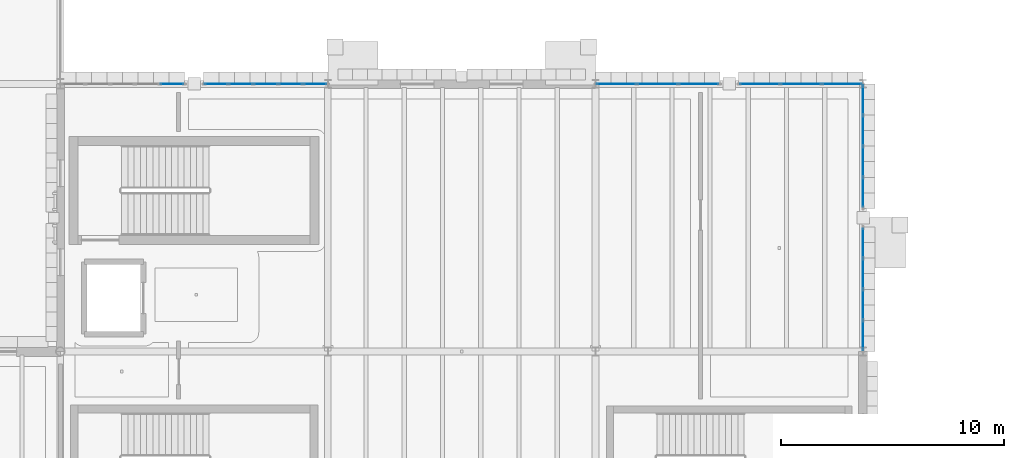
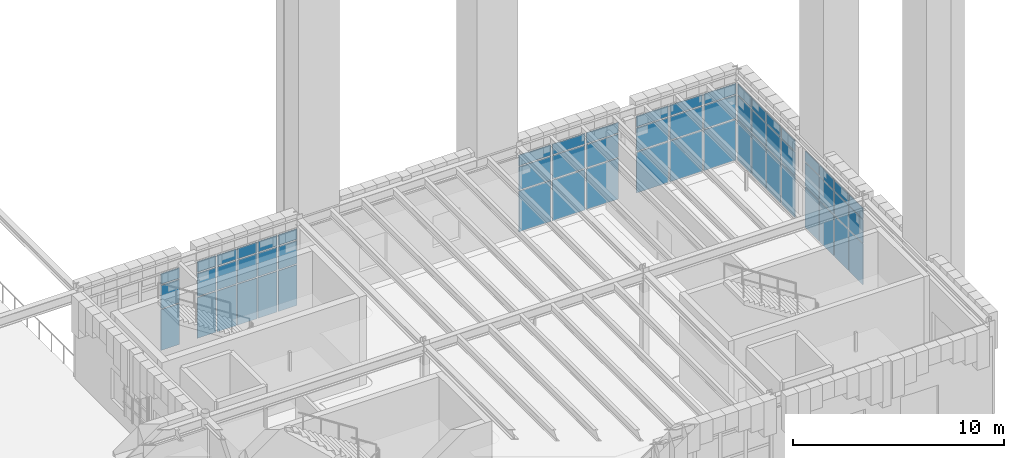
# One storey, part 49 of 103: 60 plates, 6 elements without a shape of their own.
"""IFC4 building model written with IfcOpenShell, lengths in metres."""

import ifcopenshell
import ifcopenshell.guid

model = None  # the IFC model being written
_history = None  # IfcOwnerHistory: only IFC2X3 demands one
_inside = {}  # id of a spatial element -> (the spatial element, [elements in it])
_under = {}  # id of a project, library or spatial element -> (it, [spatial elements below it])
_declared = {}  # id of a project -> (the project, [libraries it declares])
_typed = {}  # id of a type object -> (the type object, [elements of that type])
_made_of = {}  # id of a material, layer set ... -> (it, [elements and type objects made of it])


def new_model(schema):
    """Start an empty IFC model of exactly this schema.

    Asked for "IFC4X3", IfcOpenShell would pick the latest addendum, in which some entities
    have other attributes; the version numbers below select the first issue.
    IFC2X3 requires an IfcOwnerHistory on every rooted entity: one is made here for all.
    """
    global model, _history
    if schema == "IFC4X3":
        model = ifcopenshell.file(schema_version=(4, 3, 0, 0))
    else:
        model = ifcopenshell.file(schema=schema)
    _inside.clear()
    _under.clear()
    _declared.clear()
    _typed.clear()
    _made_of.clear()
    _history = None
    if model.schema == "IFC2X3":
        org = make("IfcOrganization", Name="unknown")
        user = make(
            "IfcPersonAndOrganization",
            ThePerson=make("IfcPerson", FamilyName="unknown"),
            TheOrganization=org,
        )
        app = make(
            "IfcApplication",
            ApplicationDeveloper=org,
            Version="unknown",
            ApplicationFullName="unknown",
            ApplicationIdentifier="unknown",
        )
        _history = make(
            "IfcOwnerHistory",
            OwningUser=user,
            OwningApplication=app,
            ChangeAction="ADDED",
            CreationDate=0,
        )
    return model


def make(cls, **values):
    """One entity of the class cls with the attributes given. An attribute that is None is left unset."""
    return model.create_entity(
        cls, **{name: value for name, value in values.items() if value is not None}
    )


def rooted(cls, **values):
    """An entity with a GlobalId (a new one), such as an element, a storey or a relation."""
    return make(cls, GlobalId=ifcopenshell.guid.new(), OwnerHistory=_history, **values)


def si_unit(unit_type, name, prefix=None):
    """IfcSIUnit, for example si_unit("LENGTHUNIT", "METRE", prefix="MILLI")."""
    return make("IfcSIUnit", UnitType=unit_type, Prefix=prefix, Name=name)


def assignment(units):
    """IfcUnitAssignment: the units of a project."""
    return None if units is None else make("IfcUnitAssignment", Units=units)


def point(xyz):
    """IfcCartesianPoint."""
    return None if xyz is None else make("IfcCartesianPoint", Coordinates=xyz)


def direction(xyz):
    """IfcDirection."""
    return None if xyz is None else make("IfcDirection", DirectionRatios=xyz)


def frame(location, z_axis=None, x_axis=None):
    """IfcAxis2Placement3D, a coordinate frame: its origin and axes. An axis left out is left unset."""
    return make(
        "IfcAxis2Placement3D",
        Location=point(location),
        Axis=direction(z_axis),
        RefDirection=direction(x_axis),
    )


def frame_2d(location, x_axis=None):
    """IfcAxis2Placement2D, a coordinate frame in the plane: its origin and x axis."""
    return make(
        "IfcAxis2Placement2D", Location=point(location), RefDirection=direction(x_axis)
    )


def origin():
    """The frame at (0, 0, 0) with its axes left unset."""
    return frame((0.0, 0.0, 0.0))


def origin_2d():
    """The frame at (0, 0) in the plane with its x axis left unset."""
    return frame_2d((0.0, 0.0))


def place(relative_to, where):
    """IfcLocalPlacement: puts the frame where relative to a parent placement (None: the world)."""
    return make(
        "IfcLocalPlacement", PlacementRelTo=relative_to, RelativePlacement=where
    )


def context(
    kind, dimensions, precision=None, world=None, true_north=None, identifier=None
):
    """IfcGeometricRepresentationContext, for example the 3D "Model" context."""
    return make(
        "IfcGeometricRepresentationContext",
        ContextIdentifier=identifier,
        ContextType=kind,
        CoordinateSpaceDimension=dimensions,
        Precision=precision,
        WorldCoordinateSystem=world,
        TrueNorth=true_north,
    )


def subcontext(parent, identifier, kind, view, scale=None):
    """IfcGeometricRepresentationSubContext, for example "Body" below "Model"."""
    return make(
        "IfcGeometricRepresentationSubContext",
        ContextIdentifier=identifier,
        ContextType=kind,
        ParentContext=parent,
        TargetScale=scale,
        TargetView=view,
    )


def project(units=None, contexts=None):
    """IfcProject with its units and contexts."""
    return rooted(
        "IfcProject",
        Name="project",
        RepresentationContexts=contexts,
        UnitsInContext=assignment(units),
    )


def spatial(cls, under=None, at=None, **own):
    """A site, building, storey or space (cls), placed at a placement, below another one or the project."""
    s = rooted(cls, ObjectPlacement=at, **own)
    if under is not None:
        _under.setdefault(under.id(), (under, []))[1].append(s)
    return s


def profile(cls, at=None, kind="AREA", **sizes):
    """A parametric profile (cls). Its sizes go by their IFC names, for example OverallWidth=200.0."""
    return make(cls, ProfileType=kind, Position=at, **sizes)


def rectangle(**sizes):
    """IfcRectangleProfileDef."""
    return profile("IfcRectangleProfileDef", **sizes)


def extrude(swept, where, along, depth):
    """IfcExtrudedAreaSolid: the profile swept, set in the frame where, extruded along a direction by depth."""
    return make(
        "IfcExtrudedAreaSolid",
        SweptArea=swept,
        Position=where,
        ExtrudedDirection=direction(along),
        Depth=depth,
    )


def shape(context_of_items, identifier, shape_type, items):
    """IfcShapeRepresentation: the items that make up one representation, for example the "Body"."""
    return make(
        "IfcShapeRepresentation",
        ContextOfItems=context_of_items,
        RepresentationIdentifier=identifier,
        RepresentationType=shape_type,
        Items=items,
    )


def material(Name=None, Category=None):
    """IfcMaterial."""
    return make("IfcMaterial", Name=Name, Category=Category)


def layer(
    of_material, thickness, ventilated=None, Name=None, Category=None, Priority=None
):
    """IfcMaterialLayer: one layer of a wall or slab, of a material (None: an air gap)."""
    return make(
        "IfcMaterialLayer",
        Material=of_material,
        LayerThickness=thickness,
        IsVentilated=ventilated,
        Name=Name,
        Category=Category,
        Priority=Priority,
    )


def layer_set(layers, Name=None):
    """IfcMaterialLayerSet."""
    return make("IfcMaterialLayerSet", MaterialLayers=layers, LayerSetName=Name)


def made_of(thing, what):
    """Note that an element or type object is made of a material, layer set ...; save() writes the relation."""
    if what is not None:
        _made_of.setdefault(what.id(), (what, []))[1].append(thing)
    return thing


def type_object(cls, material=None, **own):
    """A type object (cls), such as IfcWallType, which elements share."""
    return made_of(rooted(cls, **own), material)


def element(
    cls,
    number,
    at=None,
    inside=None,
    cuts=None,
    type_object=None,
    material=None,
    context=None,
    identifier="Body",
    shape_type=None,
    held_by="IfcProductDefinitionShape",
    body=None,
    shapes=None,
    **own,
):
    """One element of the class cls, such as IfcWall. Its Tag is "e" and its number.

    at: its placement. inside: the storey or other place that contains it. cuts: it is an
    opening in that element (IfcRelVoidsElement). A single representation is given by context,
    identifier, shape_type and body (its items); several are given by shapes. held_by: the class
    of the entity that holds the representations. save() writes the other relations.
    """
    e = rooted(cls, Tag="e%d" % number, ObjectPlacement=at, **own)
    if body is not None:
        shapes = [shape(context, identifier, shape_type, body)]
    if shapes is not None:
        e.Representation = make(held_by, Representations=shapes)
    if inside is not None:
        _inside.setdefault(inside.id(), (inside, []))[1].append(e)
    if cuts is not None:
        rooted(
            "IfcRelVoidsElement", RelatingBuildingElement=cuts, RelatedOpeningElement=e
        )
    if type_object is not None:
        _typed.setdefault(type_object.id(), (type_object, []))[1].append(e)
    return made_of(e, material)


def aggregate(whole, parts):
    """IfcRelAggregates: a whole, such as a stair, and the parts it consists of."""
    return rooted("IfcRelAggregates", RelatingObject=whole, RelatedObjects=parts)


def save(model, path):
    """Write the relations noted so far, then the file.

    IfcRelAggregates (storeys below a building ...), IfcRelContainedInSpatialStructure (elements
    in a storey), IfcRelDefinesByType, IfcRelAssociatesMaterial and IfcRelDeclares: one each for
    every whole, place, type object, material and project.
    """
    for whole, parts in _under.values():
        aggregate(whole, parts)
    for where, things in _inside.values():
        rooted(
            "IfcRelContainedInSpatialStructure",
            RelatedElements=things,
            RelatingStructure=where,
        )
    for kind, things in _typed.values():
        rooted("IfcRelDefinesByType", RelatedObjects=things, RelatingType=kind)
    for what, things in _made_of.values():
        rooted("IfcRelAssociatesMaterial", RelatedObjects=things, RelatingMaterial=what)
    for by, libraries in _declared.values():
        rooted("IfcRelDeclares", RelatingContext=by, RelatedDefinitions=libraries)
    model.write(path)


model = new_model("IFC4")

# Units and contexts
model_context = context("Model", 3, precision=1e-05, world=origin(), true_north=direction((0.0, 1.0)))
body_context = subcontext(model_context, "Body", "Model", "MODEL_VIEW")
ifc_project = project(units=[si_unit("LENGTHUNIT", "METRE"), si_unit("AREAUNIT", "SQUARE_METRE"), si_unit("VOLUMEUNIT", "CUBIC_METRE"), si_unit("PLANEANGLEUNIT", "RADIAN"), si_unit("MASSUNIT", "GRAM", prefix="KILO")], contexts=[model_context])

# Site, building, storey
site_placement = place(None, origin())
site = spatial("IfcSite", under=ifc_project, at=site_placement, CompositionType="ELEMENT")
building_placement = place(site_placement, origin())
building = spatial("IfcBuilding", under=site, at=building_placement, Name="Zlatogorsky Bluff Art Gallery", CompositionType="ELEMENT")
storey_placement = place(building_placement, origin())
storey = spatial("IfcBuildingStorey", under=building, at=storey_placement, Name="L00", CompositionType="ELEMENT", Elevation=0.0)

# Curtain wall, plates
ifc_material_1 = material(Name="Anodised Bronze Aluminium and Low-Iron Triple Glazing", Category="aluminium")
ifc_layer_1 = layer(ifc_material_1, 0.179931640625)
ifc_layer_set_1 = layer_set([ifc_layer_1], Name="Curtain Wall CW-03")
curtain_wall_type_1 = type_object("IfcCurtainWallType", Name="Curtain Wall CW-03", PredefinedType="USERDEFINED", material=ifc_layer_set_1)
curtain_wall_1_placement = place(storey_placement, origin())
curtain_wall_1 = element("IfcCurtainWall", 1, at=curtain_wall_1_placement, inside=storey, type_object=curtain_wall_type_1, Name="Unitised curtain wall CW-03 L00 N 10.9-A", ObjectType="CURTAIN WALL", PredefinedType="USERDEFINED")
ifc_material_2 = material(Name="Low-Iron Laminated Triple Glazing", Category="glass")
ifc_layer_2 = layer(ifc_material_2, 0.035888671875)
ifc_layer_set_2 = layer_set([ifc_layer_2], Name="Glazed Curtain Panel CWP-01")
plate_type = type_object("IfcPlateType", Name="Glazed Curtain Panel CWP-01", PredefinedType="CURTAIN_PANEL", material=ifc_layer_set_2)
plate_1_placement = place(storey_placement, frame((131.42578125, 108.0, 0.06494140625), z_axis=(0.0, 0.0, 1.0), x_axis=(-1.0, 0.0, 0.0)))
plate_1 = element("IfcPlate", 2, at=plate_1_placement, type_object=plate_type, Name="CW-03 panel 1.1", PredefinedType="CURTAIN_PANEL", context=body_context, shape_type="SweptSolid", body=[
    extrude(rectangle(XDim=1.0185546875, YDim=0.035888671875, at=origin_2d()), origin(), (0.0, 0.0, 1.0), 2.3525390625),
])
plate_2_placement = place(storey_placement, frame((131.42578125, 108.0, 2.482421875), z_axis=(0.0, 0.0, 1.0), x_axis=(-1.0, 0.0, 0.0)))
plate_2 = element("IfcPlate", 3, at=plate_2_placement, type_object=plate_type, Name="CW-03 panel 1.2", PredefinedType="CURTAIN_PANEL", context=body_context, shape_type="SweptSolid", body=[
    extrude(rectangle(XDim=1.0185546875, YDim=0.035888671875, at=origin_2d()), origin(), (0.0, 0.0, 1.0), 1.3349609375),
])
plate_3_placement = place(storey_placement, frame((131.42578125, 108.0, 3.88232421875), z_axis=(0.0, 0.0, 1.0), x_axis=(-1.0, 0.0, 0.0)))
plate_3 = element("IfcPlate", 4, at=plate_3_placement, type_object=plate_type, Name="CW-03 panel 1.3", PredefinedType="CURTAIN_PANEL", context=body_context, shape_type="SweptSolid", body=[
    extrude(rectangle(XDim=1.0185546875, YDim=0.035888671875, at=origin_2d()), origin(), (0.0, 0.0, 1.0), 0.612548828125),
])
plate_4_placement = place(storey_placement, frame((130.325927734375, 108.0, 0.06494140625), z_axis=(0.0, 0.0, 1.0), x_axis=(-1.0, 0.0, 0.0)))
plate_4 = element("IfcPlate", 5, at=plate_4_placement, type_object=plate_type, Name="CW-03 panel 2.1", PredefinedType="CURTAIN_PANEL", context=body_context, shape_type="SweptSolid", body=[
    extrude(rectangle(XDim=1.051025390625, YDim=0.035888671875, at=origin_2d()), origin(), (0.0, 0.0, 1.0), 2.3525390625),
])
plate_5_placement = place(storey_placement, frame((130.325927734375, 108.0, 2.482421875), z_axis=(0.0, 0.0, 1.0), x_axis=(-1.0, 0.0, 0.0)))
plate_5 = element("IfcPlate", 6, at=plate_5_placement, type_object=plate_type, Name="CW-03 panel 2.2", PredefinedType="CURTAIN_PANEL", context=body_context, shape_type="SweptSolid", body=[
    extrude(rectangle(XDim=1.051025390625, YDim=0.035888671875, at=origin_2d()), origin(), (0.0, 0.0, 1.0), 1.3349609375),
])
plate_6_placement = place(storey_placement, frame((130.325927734375, 108.0, 3.88232421875), z_axis=(0.0, 0.0, 1.0), x_axis=(-1.0, 0.0, 0.0)))
plate_6 = element("IfcPlate", 7, at=plate_6_placement, type_object=plate_type, Name="CW-03 panel 2.3", PredefinedType="CURTAIN_PANEL", context=body_context, shape_type="SweptSolid", body=[
    extrude(rectangle(XDim=1.051025390625, YDim=0.035888671875, at=origin_2d()), origin(), (0.0, 0.0, 1.0), 0.612548828125),
])
plate_7_placement = place(storey_placement, frame((129.2099609375, 108.0, 0.06494140625), z_axis=(0.0, 0.0, 1.0), x_axis=(-1.0, 0.0, 0.0)))
plate_7 = element("IfcPlate", 8, at=plate_7_placement, type_object=plate_type, Name="CW-03 panel 3.1", PredefinedType="CURTAIN_PANEL", context=body_context, shape_type="SweptSolid", body=[
    extrude(rectangle(XDim=1.051025390625, YDim=0.035888671875, at=origin_2d()), origin(), (0.0, 0.0, 1.0), 2.3525390625),
])
plate_8_placement = place(storey_placement, frame((129.2099609375, 108.0, 2.482421875), z_axis=(0.0, 0.0, 1.0), x_axis=(-1.0, 0.0, 0.0)))
plate_8 = element("IfcPlate", 9, at=plate_8_placement, type_object=plate_type, Name="CW-03 panel 3.2", PredefinedType="CURTAIN_PANEL", context=body_context, shape_type="SweptSolid", body=[
    extrude(rectangle(XDim=1.051025390625, YDim=0.035888671875, at=origin_2d()), origin(), (0.0, 0.0, 1.0), 1.3349609375),
])
plate_9_placement = place(storey_placement, frame((129.2099609375, 108.0, 3.88232421875), z_axis=(0.0, 0.0, 1.0), x_axis=(-1.0, 0.0, 0.0)))
plate_9 = element("IfcPlate", 10, at=plate_9_placement, type_object=plate_type, Name="CW-03 panel 3.3", PredefinedType="CURTAIN_PANEL", context=body_context, shape_type="SweptSolid", body=[
    extrude(rectangle(XDim=1.051025390625, YDim=0.035888671875, at=origin_2d()), origin(), (0.0, 0.0, 1.0), 0.612548828125),
])
plate_10_placement = place(storey_placement, frame((128.093994140625, 108.0, 0.06494140625), z_axis=(0.0, 0.0, 1.0), x_axis=(-1.0, 0.0, 0.0)))
plate_10 = element("IfcPlate", 11, at=plate_10_placement, type_object=plate_type, Name="CW-03 panel 4.1", PredefinedType="CURTAIN_PANEL", context=body_context, shape_type="SweptSolid", body=[
    extrude(rectangle(XDim=1.051025390625, YDim=0.035888671875, at=origin_2d()), origin(), (0.0, 0.0, 1.0), 2.3525390625),
])
plate_11_placement = place(storey_placement, frame((128.093994140625, 108.0, 2.482421875), z_axis=(0.0, 0.0, 1.0), x_axis=(-1.0, 0.0, 0.0)))
plate_11 = element("IfcPlate", 12, at=plate_11_placement, type_object=plate_type, Name="CW-03 panel 4.2", PredefinedType="CURTAIN_PANEL", context=body_context, shape_type="SweptSolid", body=[
    extrude(rectangle(XDim=1.051025390625, YDim=0.035888671875, at=origin_2d()), origin(), (0.0, 0.0, 1.0), 1.3349609375),
])
plate_12_placement = place(storey_placement, frame((128.093994140625, 108.0, 3.88232421875), z_axis=(0.0, 0.0, 1.0), x_axis=(-1.0, 0.0, 0.0)))
plate_12 = element("IfcPlate", 13, at=plate_12_placement, type_object=plate_type, Name="CW-03 panel 4.3", PredefinedType="CURTAIN_PANEL", context=body_context, shape_type="SweptSolid", body=[
    extrude(rectangle(XDim=1.051025390625, YDim=0.035888671875, at=origin_2d()), origin(), (0.0, 0.0, 1.0), 0.612548828125),
])
plate_13_placement = place(storey_placement, frame((126.994140625, 108.0, 0.06494140625), z_axis=(0.0, 0.0, 1.0), x_axis=(-1.0, 0.0, 0.0)))
plate_13 = element("IfcPlate", 14, at=plate_13_placement, type_object=plate_type, Name="CW-03 panel 5.1", PredefinedType="CURTAIN_PANEL", context=body_context, shape_type="SweptSolid", body=[
    extrude(rectangle(XDim=1.0185546875, YDim=0.035888671875, at=origin_2d()), origin(), (0.0, 0.0, 1.0), 2.3525390625),
])
plate_14_placement = place(storey_placement, frame((126.994140625, 108.0, 2.482421875), z_axis=(0.0, 0.0, 1.0), x_axis=(-1.0, 0.0, 0.0)))
plate_14 = element("IfcPlate", 15, at=plate_14_placement, type_object=plate_type, Name="CW-03 panel 5.2", PredefinedType="CURTAIN_PANEL", context=body_context, shape_type="SweptSolid", body=[
    extrude(rectangle(XDim=1.0185546875, YDim=0.035888671875, at=origin_2d()), origin(), (0.0, 0.0, 1.0), 1.3349609375),
])
plate_15_placement = place(storey_placement, frame((126.994140625, 108.0, 3.88232421875), z_axis=(0.0, 0.0, 1.0), x_axis=(-1.0, 0.0, 0.0)))
plate_15 = element("IfcPlate", 16, at=plate_15_placement, type_object=plate_type, Name="CW-03 panel 5.3", PredefinedType="CURTAIN_PANEL", context=body_context, shape_type="SweptSolid", body=[
    extrude(rectangle(XDim=1.0185546875, YDim=0.035888671875, at=origin_2d()), origin(), (0.0, 0.0, 1.0), 0.612548828125),
])
aggregate(curtain_wall_1, [plate_1, plate_2, plate_3, plate_4, plate_5, plate_6, plate_7, plate_8, plate_9, plate_10, plate_11, plate_12, plate_13, plate_14, plate_15])

curtain_wall_2_placement = place(storey_placement, origin())
curtain_wall_2 = element("IfcCurtainWall", 17, at=curtain_wall_2_placement, inside=storey, type_object=curtain_wall_type_1, Name="Unitised curtain wall CW-03 L00 N 10.9-B", ObjectType="CURTAIN WALL", PredefinedType="USERDEFINED")
plate_16_placement = place(storey_placement, frame((125.005859375, 108.0, 0.06494140625), z_axis=(0.0, 0.0, 1.0), x_axis=(-1.0, 0.0, 0.0)))
plate_16 = element("IfcPlate", 18, at=plate_16_placement, type_object=plate_type, Name="CW-03 panel 1.1", PredefinedType="CURTAIN_PANEL", context=body_context, shape_type="SweptSolid", body=[
    extrude(rectangle(XDim=1.0185546875, YDim=0.035888671875, at=origin_2d()), origin(), (0.0, 0.0, 1.0), 2.3525390625),
])
plate_17_placement = place(storey_placement, frame((125.005859375, 108.0, 2.482421875), z_axis=(0.0, 0.0, 1.0), x_axis=(-1.0, 0.0, 0.0)))
plate_17 = element("IfcPlate", 19, at=plate_17_placement, type_object=plate_type, Name="CW-03 panel 1.2", PredefinedType="CURTAIN_PANEL", context=body_context, shape_type="SweptSolid", body=[
    extrude(rectangle(XDim=1.0185546875, YDim=0.035888671875, at=origin_2d()), origin(), (0.0, 0.0, 1.0), 1.3349609375),
])
plate_18_placement = place(storey_placement, frame((125.005859375, 108.0, 3.88232421875), z_axis=(0.0, 0.0, 1.0), x_axis=(-1.0, 0.0, 0.0)))
plate_18 = element("IfcPlate", 20, at=plate_18_placement, type_object=plate_type, Name="CW-03 panel 1.3", PredefinedType="CURTAIN_PANEL", context=body_context, shape_type="SweptSolid", body=[
    extrude(rectangle(XDim=1.0185546875, YDim=0.035888671875, at=origin_2d()), origin(), (0.0, 0.0, 1.0), 0.612548828125),
])
aggregate(curtain_wall_2, [plate_16, plate_17, plate_18])

ifc_layer_3 = layer(ifc_material_1, 0.219970703125)
ifc_layer_set_3 = layer_set([ifc_layer_3], Name="Curtain Wall CW-04")
curtain_wall_type_2 = type_object("IfcCurtainWallType", Name="Curtain Wall CW-04", PredefinedType="USERDEFINED", material=ifc_layer_set_3)
curtain_wall_3_placement = place(storey_placement, origin())
curtain_wall_3 = element("IfcCurtainWall", 21, at=curtain_wall_3_placement, inside=storey, type_object=curtain_wall_type_2, Name="Unitised curtain wall CW-04 L00 N 12.9-A", ObjectType="CURTAIN WALL", PredefinedType="USERDEFINED")
plate_19_placement = place(storey_placement, frame((155.0537109375, 108.0, 0.06494140625), z_axis=(0.0, 0.0, 1.0), x_axis=(-1.0, 0.0, 0.0)))
plate_19 = element("IfcPlate", 22, at=plate_19_placement, type_object=plate_type, Name="CW-04 panel 1.1", PredefinedType="CURTAIN_PANEL", context=body_context, shape_type="SweptSolid", body=[
    extrude(rectangle(XDim=1.762451171875, YDim=0.035888671875, at=origin_2d()), origin(), (0.0, 0.0, 1.0), 2.3525390625),
])
plate_20_placement = place(storey_placement, frame((155.0537109375, 108.0, 2.482421875), z_axis=(0.0, 0.0, 1.0), x_axis=(-1.0, 0.0, 0.0)))
plate_20 = element("IfcPlate", 23, at=plate_20_placement, type_object=plate_type, Name="CW-04 panel 1.2", PredefinedType="CURTAIN_PANEL", context=body_context, shape_type="SweptSolid", body=[
    extrude(rectangle(XDim=1.762451171875, YDim=0.035888671875, at=origin_2d()), origin(), (0.0, 0.0, 1.0), 1.3349609375),
])
plate_21_placement = place(storey_placement, frame((155.0537109375, 108.0, 3.88232421875), z_axis=(0.0, 0.0, 1.0), x_axis=(-1.0, 0.0, 0.0)))
plate_21 = element("IfcPlate", 24, at=plate_21_placement, type_object=plate_type, Name="CW-04 panel 1.3", PredefinedType="CURTAIN_PANEL", context=body_context, shape_type="SweptSolid", body=[
    extrude(rectangle(XDim=1.762451171875, YDim=0.035888671875, at=origin_2d()), origin(), (0.0, 0.0, 1.0), 0.612548828125),
])
plate_22_placement = place(storey_placement, frame((153.2099609375, 108.0, 0.06494140625), z_axis=(0.0, 0.0, 1.0), x_axis=(-1.0, 0.0, 0.0)))
plate_22 = element("IfcPlate", 25, at=plate_22_placement, type_object=plate_type, Name="CW-04 panel 2.1", PredefinedType="CURTAIN_PANEL", context=body_context, shape_type="SweptSolid", body=[
    extrude(rectangle(XDim=1.794921875, YDim=0.035888671875, at=origin_2d()), origin(), (0.0, 0.0, 1.0), 2.3525390625),
])
plate_23_placement = place(storey_placement, frame((153.2099609375, 108.0, 2.482421875), z_axis=(0.0, 0.0, 1.0), x_axis=(-1.0, 0.0, 0.0)))
plate_23 = element("IfcPlate", 26, at=plate_23_placement, type_object=plate_type, Name="CW-04 panel 2.2", PredefinedType="CURTAIN_PANEL", context=body_context, shape_type="SweptSolid", body=[
    extrude(rectangle(XDim=1.794921875, YDim=0.035888671875, at=origin_2d()), origin(), (0.0, 0.0, 1.0), 1.3349609375),
])
plate_24_placement = place(storey_placement, frame((153.2099609375, 108.0, 3.88232421875), z_axis=(0.0, 0.0, 1.0), x_axis=(-1.0, 0.0, 0.0)))
plate_24 = element("IfcPlate", 27, at=plate_24_placement, type_object=plate_type, Name="CW-04 panel 2.3", PredefinedType="CURTAIN_PANEL", context=body_context, shape_type="SweptSolid", body=[
    extrude(rectangle(XDim=1.794921875, YDim=0.035888671875, at=origin_2d()), origin(), (0.0, 0.0, 1.0), 0.612548828125),
])
plate_25_placement = place(storey_placement, frame((151.3662109375, 108.0, 0.06494140625), z_axis=(0.0, 0.0, 1.0), x_axis=(-1.0, 0.0, 0.0)))
plate_25 = element("IfcPlate", 28, at=plate_25_placement, type_object=plate_type, Name="CW-04 panel 3.1", PredefinedType="CURTAIN_PANEL", context=body_context, shape_type="SweptSolid", body=[
    extrude(rectangle(XDim=1.762451171875, YDim=0.035888671875, at=origin_2d()), origin(), (0.0, 0.0, 1.0), 2.3525390625),
])
plate_26_placement = place(storey_placement, frame((151.3662109375, 108.0, 2.482421875), z_axis=(0.0, 0.0, 1.0), x_axis=(-1.0, 0.0, 0.0)))
plate_26 = element("IfcPlate", 29, at=plate_26_placement, type_object=plate_type, Name="CW-04 panel 3.2", PredefinedType="CURTAIN_PANEL", context=body_context, shape_type="SweptSolid", body=[
    extrude(rectangle(XDim=1.762451171875, YDim=0.035888671875, at=origin_2d()), origin(), (0.0, 0.0, 1.0), 1.3349609375),
])
plate_27_placement = place(storey_placement, frame((151.3662109375, 108.0, 3.88232421875), z_axis=(0.0, 0.0, 1.0), x_axis=(-1.0, 0.0, 0.0)))
plate_27 = element("IfcPlate", 30, at=plate_27_placement, type_object=plate_type, Name="CW-04 panel 3.3", PredefinedType="CURTAIN_PANEL", context=body_context, shape_type="SweptSolid", body=[
    extrude(rectangle(XDim=1.762451171875, YDim=0.035888671875, at=origin_2d()), origin(), (0.0, 0.0, 1.0), 0.612548828125),
])
aggregate(curtain_wall_3, [plate_19, plate_20, plate_21, plate_22, plate_23, plate_24, plate_25, plate_26, plate_27])

curtain_wall_4_placement = place(storey_placement, origin())
curtain_wall_4 = element("IfcCurtainWall", 31, at=curtain_wall_4_placement, inside=storey, type_object=curtain_wall_type_2, Name="Unitised curtain wall CW-04 L00 N 12.9-B", ObjectType="CURTAIN WALL", PredefinedType="USERDEFINED")
plate_28_placement = place(storey_placement, frame((148.6337890625, 108.0, 0.06494140625), z_axis=(0.0, 0.0, 1.0), x_axis=(-1.0, 0.0, 0.0)))
plate_28 = element("IfcPlate", 32, at=plate_28_placement, type_object=plate_type, Name="CW-04 panel 1.1", PredefinedType="CURTAIN_PANEL", context=body_context, shape_type="SweptSolid", body=[
    extrude(rectangle(XDim=1.762451171875, YDim=0.035888671875, at=origin_2d()), origin(), (0.0, 0.0, 1.0), 2.3525390625),
])
plate_29_placement = place(storey_placement, frame((148.6337890625, 108.0, 2.482421875), z_axis=(0.0, 0.0, 1.0), x_axis=(-1.0, 0.0, 0.0)))
plate_29 = element("IfcPlate", 33, at=plate_29_placement, type_object=plate_type, Name="CW-04 panel 1.2", PredefinedType="CURTAIN_PANEL", context=body_context, shape_type="SweptSolid", body=[
    extrude(rectangle(XDim=1.762451171875, YDim=0.035888671875, at=origin_2d()), origin(), (0.0, 0.0, 1.0), 1.3349609375),
])
plate_30_placement = place(storey_placement, frame((148.6337890625, 108.0, 3.88232421875), z_axis=(0.0, 0.0, 1.0), x_axis=(-1.0, 0.0, 0.0)))
plate_30 = element("IfcPlate", 34, at=plate_30_placement, type_object=plate_type, Name="CW-04 panel 1.3", PredefinedType="CURTAIN_PANEL", context=body_context, shape_type="SweptSolid", body=[
    extrude(rectangle(XDim=1.762451171875, YDim=0.035888671875, at=origin_2d()), origin(), (0.0, 0.0, 1.0), 0.612548828125),
])
plate_31_placement = place(storey_placement, frame((146.7900390625, 108.0, 0.06494140625), z_axis=(0.0, 0.0, 1.0), x_axis=(-1.0, 0.0, 0.0)))
plate_31 = element("IfcPlate", 35, at=plate_31_placement, type_object=plate_type, Name="CW-04 panel 2.1", PredefinedType="CURTAIN_PANEL", context=body_context, shape_type="SweptSolid", body=[
    extrude(rectangle(XDim=1.794921875, YDim=0.035888671875, at=origin_2d()), origin(), (0.0, 0.0, 1.0), 2.3525390625),
])
plate_32_placement = place(storey_placement, frame((146.7900390625, 108.0, 2.482421875), z_axis=(0.0, 0.0, 1.0), x_axis=(-1.0, 0.0, 0.0)))
plate_32 = element("IfcPlate", 36, at=plate_32_placement, type_object=plate_type, Name="CW-04 panel 2.2", PredefinedType="CURTAIN_PANEL", context=body_context, shape_type="SweptSolid", body=[
    extrude(rectangle(XDim=1.794921875, YDim=0.035888671875, at=origin_2d()), origin(), (0.0, 0.0, 1.0), 1.3349609375),
])
plate_33_placement = place(storey_placement, frame((146.7900390625, 108.0, 3.88232421875), z_axis=(0.0, 0.0, 1.0), x_axis=(-1.0, 0.0, 0.0)))
plate_33 = element("IfcPlate", 37, at=plate_33_placement, type_object=plate_type, Name="CW-04 panel 2.3", PredefinedType="CURTAIN_PANEL", context=body_context, shape_type="SweptSolid", body=[
    extrude(rectangle(XDim=1.794921875, YDim=0.035888671875, at=origin_2d()), origin(), (0.0, 0.0, 1.0), 0.612548828125),
])
plate_34_placement = place(storey_placement, frame((144.9462890625, 108.0, 0.06494140625), z_axis=(0.0, 0.0, 1.0), x_axis=(-1.0, 0.0, 0.0)))
plate_34 = element("IfcPlate", 38, at=plate_34_placement, type_object=plate_type, Name="CW-04 panel 3.1", PredefinedType="CURTAIN_PANEL", context=body_context, shape_type="SweptSolid", body=[
    extrude(rectangle(XDim=1.762451171875, YDim=0.035888671875, at=origin_2d()), origin(), (0.0, 0.0, 1.0), 2.3525390625),
])
plate_35_placement = place(storey_placement, frame((144.9462890625, 108.0, 2.482421875), z_axis=(0.0, 0.0, 1.0), x_axis=(-1.0, 0.0, 0.0)))
plate_35 = element("IfcPlate", 39, at=plate_35_placement, type_object=plate_type, Name="CW-04 panel 3.2", PredefinedType="CURTAIN_PANEL", context=body_context, shape_type="SweptSolid", body=[
    extrude(rectangle(XDim=1.762451171875, YDim=0.035888671875, at=origin_2d()), origin(), (0.0, 0.0, 1.0), 1.3349609375),
])
plate_36_placement = place(storey_placement, frame((144.9462890625, 108.0, 3.88232421875), z_axis=(0.0, 0.0, 1.0), x_axis=(-1.0, 0.0, 0.0)))
plate_36 = element("IfcPlate", 40, at=plate_36_placement, type_object=plate_type, Name="CW-04 panel 3.3", PredefinedType="CURTAIN_PANEL", context=body_context, shape_type="SweptSolid", body=[
    extrude(rectangle(XDim=1.762451171875, YDim=0.035888671875, at=origin_2d()), origin(), (0.0, 0.0, 1.0), 0.612548828125),
])
aggregate(curtain_wall_4, [plate_28, plate_29, plate_30, plate_31, plate_32, plate_33, plate_34, plate_35, plate_36])

ifc_layer_4 = layer(ifc_material_1, 0.199951171875)
ifc_layer_set_4 = layer_set([ifc_layer_4], Name="Curtain Wall CW-02")
curtain_wall_type_3 = type_object("IfcCurtainWallType", Name="Curtain Wall CW-02", PredefinedType="USERDEFINED", material=ifc_layer_set_4)
curtain_wall_5_placement = place(storey_placement, origin())
curtain_wall_5 = element("IfcCurtainWall", 41, at=curtain_wall_5_placement, inside=storey, type_object=curtain_wall_type_3, Name="Unitised curtain wall CW-02 L00 E 12.9-A", ObjectType="CURTAIN WALL", PredefinedType="USERDEFINED")
plate_37_placement = place(storey_placement, frame((156.0, 96.7138671875, 0.06494140625), z_axis=(0.0, 0.0, 1.0), x_axis=(0.0, 1.0, 0.0)))
plate_37 = element("IfcPlate", 42, at=plate_37_placement, type_object=plate_type, Name="CW-02 panel 1.1", PredefinedType="CURTAIN_PANEL", context=body_context, shape_type="SweptSolid", body=[
    extrude(rectangle(XDim=1.297607421875, YDim=0.035888671875, at=origin_2d()), origin(), (0.0, 0.0, 1.0), 2.3525390625),
])
plate_38_placement = place(storey_placement, frame((156.0, 96.7138671875, 2.482421875), z_axis=(0.0, 0.0, 1.0), x_axis=(0.0, 1.0, 0.0)))
plate_38 = element("IfcPlate", 43, at=plate_38_placement, type_object=plate_type, Name="CW-02 panel 1.2", PredefinedType="CURTAIN_PANEL", context=body_context, shape_type="SweptSolid", body=[
    extrude(rectangle(XDim=1.297607421875, YDim=0.035888671875, at=origin_2d()), origin(), (0.0, 0.0, 1.0), 1.3349609375),
])
plate_39_placement = place(storey_placement, frame((156.0, 96.7138671875, 3.88232421875), z_axis=(0.0, 0.0, 1.0), x_axis=(0.0, 1.0, 0.0)))
plate_39 = element("IfcPlate", 44, at=plate_39_placement, type_object=plate_type, Name="CW-02 panel 1.3", PredefinedType="CURTAIN_PANEL", context=body_context, shape_type="SweptSolid", body=[
    extrude(rectangle(XDim=1.297607421875, YDim=0.035888671875, at=origin_2d()), origin(), (0.0, 0.0, 1.0), 0.612548828125),
])
plate_40_placement = place(storey_placement, frame((156.0, 98.092529296875, 0.06494140625), z_axis=(0.0, 0.0, 1.0), x_axis=(0.0, 1.0, 0.0)))
plate_40 = element("IfcPlate", 45, at=plate_40_placement, type_object=plate_type, Name="CW-02 panel 2.1", PredefinedType="CURTAIN_PANEL", context=body_context, shape_type="SweptSolid", body=[
    extrude(rectangle(XDim=1.330078125, YDim=0.035888671875, at=origin_2d()), origin(), (0.0, 0.0, 1.0), 2.3525390625),
])
plate_41_placement = place(storey_placement, frame((156.0, 98.092529296875, 2.482421875), z_axis=(0.0, 0.0, 1.0), x_axis=(0.0, 1.0, 0.0)))
plate_41 = element("IfcPlate", 46, at=plate_41_placement, type_object=plate_type, Name="CW-02 panel 2.2", PredefinedType="CURTAIN_PANEL", context=body_context, shape_type="SweptSolid", body=[
    extrude(rectangle(XDim=1.330078125, YDim=0.035888671875, at=origin_2d()), origin(), (0.0, 0.0, 1.0), 1.3349609375),
])
plate_42_placement = place(storey_placement, frame((156.0, 98.092529296875, 3.88232421875), z_axis=(0.0, 0.0, 1.0), x_axis=(0.0, 1.0, 0.0)))
plate_42 = element("IfcPlate", 47, at=plate_42_placement, type_object=plate_type, Name="CW-02 panel 2.3", PredefinedType="CURTAIN_PANEL", context=body_context, shape_type="SweptSolid", body=[
    extrude(rectangle(XDim=1.330078125, YDim=0.035888671875, at=origin_2d()), origin(), (0.0, 0.0, 1.0), 0.612548828125),
])
plate_43_placement = place(storey_placement, frame((156.0, 99.487548828125, 0.06494140625), z_axis=(0.0, 0.0, 1.0), x_axis=(0.0, 1.0, 0.0)))
plate_43 = element("IfcPlate", 48, at=plate_43_placement, type_object=plate_type, Name="CW-02 panel 3.1", PredefinedType="CURTAIN_PANEL", context=body_context, shape_type="SweptSolid", body=[
    extrude(rectangle(XDim=1.330078125, YDim=0.035888671875, at=origin_2d()), origin(), (0.0, 0.0, 1.0), 2.3525390625),
])
plate_44_placement = place(storey_placement, frame((156.0, 99.487548828125, 2.482421875), z_axis=(0.0, 0.0, 1.0), x_axis=(0.0, 1.0, 0.0)))
plate_44 = element("IfcPlate", 49, at=plate_44_placement, type_object=plate_type, Name="CW-02 panel 3.2", PredefinedType="CURTAIN_PANEL", context=body_context, shape_type="SweptSolid", body=[
    extrude(rectangle(XDim=1.330078125, YDim=0.035888671875, at=origin_2d()), origin(), (0.0, 0.0, 1.0), 1.3349609375),
])
plate_45_placement = place(storey_placement, frame((156.0, 99.487548828125, 3.88232421875), z_axis=(0.0, 0.0, 1.0), x_axis=(0.0, 1.0, 0.0)))
plate_45 = element("IfcPlate", 50, at=plate_45_placement, type_object=plate_type, Name="CW-02 panel 3.3", PredefinedType="CURTAIN_PANEL", context=body_context, shape_type="SweptSolid", body=[
    extrude(rectangle(XDim=1.330078125, YDim=0.035888671875, at=origin_2d()), origin(), (0.0, 0.0, 1.0), 0.612548828125),
])
plate_46_placement = place(storey_placement, frame((156.0, 100.8662109375, 0.06494140625), z_axis=(0.0, 0.0, 1.0), x_axis=(0.0, 1.0, 0.0)))
plate_46 = element("IfcPlate", 51, at=plate_46_placement, type_object=plate_type, Name="CW-02 panel 4.1", PredefinedType="CURTAIN_PANEL", context=body_context, shape_type="SweptSolid", body=[
    extrude(rectangle(XDim=1.297607421875, YDim=0.035888671875, at=origin_2d()), origin(), (0.0, 0.0, 1.0), 2.3525390625),
])
plate_47_placement = place(storey_placement, frame((156.0, 100.8662109375, 2.482421875), z_axis=(0.0, 0.0, 1.0), x_axis=(0.0, 1.0, 0.0)))
plate_47 = element("IfcPlate", 52, at=plate_47_placement, type_object=plate_type, Name="CW-02 panel 4.2", PredefinedType="CURTAIN_PANEL", context=body_context, shape_type="SweptSolid", body=[
    extrude(rectangle(XDim=1.297607421875, YDim=0.035888671875, at=origin_2d()), origin(), (0.0, 0.0, 1.0), 1.3349609375),
])
plate_48_placement = place(storey_placement, frame((156.0, 100.8662109375, 3.88232421875), z_axis=(0.0, 0.0, 1.0), x_axis=(0.0, 1.0, 0.0)))
plate_48 = element("IfcPlate", 53, at=plate_48_placement, type_object=plate_type, Name="CW-02 panel 4.3", PredefinedType="CURTAIN_PANEL", context=body_context, shape_type="SweptSolid", body=[
    extrude(rectangle(XDim=1.297607421875, YDim=0.035888671875, at=origin_2d()), origin(), (0.0, 0.0, 1.0), 0.612548828125),
])
aggregate(curtain_wall_5, [plate_37, plate_38, plate_39, plate_40, plate_41, plate_42, plate_43, plate_44, plate_45, plate_46, plate_47, plate_48])

curtain_wall_6_placement = place(storey_placement, origin())
curtain_wall_6 = element("IfcCurtainWall", 54, at=curtain_wall_6_placement, inside=storey, type_object=curtain_wall_type_3, Name="Unitised curtain wall CW-02 L00 E 12.9-B", ObjectType="CURTAIN WALL", PredefinedType="USERDEFINED")
plate_49_placement = place(storey_placement, frame((156.0, 103.1337890625, 0.06494140625), z_axis=(0.0, 0.0, 1.0), x_axis=(0.0, 1.0, 0.0)))
plate_49 = element("IfcPlate", 55, at=plate_49_placement, type_object=plate_type, Name="CW-02 panel 1.1", PredefinedType="CURTAIN_PANEL", context=body_context, shape_type="SweptSolid", body=[
    extrude(rectangle(XDim=1.297607421875, YDim=0.035888671875, at=origin_2d()), origin(), (0.0, 0.0, 1.0), 2.3525390625),
])
plate_50_placement = place(storey_placement, frame((156.0, 103.1337890625, 2.482421875), z_axis=(0.0, 0.0, 1.0), x_axis=(0.0, 1.0, 0.0)))
plate_50 = element("IfcPlate", 56, at=plate_50_placement, type_object=plate_type, Name="CW-02 panel 1.2", PredefinedType="CURTAIN_PANEL", context=body_context, shape_type="SweptSolid", body=[
    extrude(rectangle(XDim=1.297607421875, YDim=0.035888671875, at=origin_2d()), origin(), (0.0, 0.0, 1.0), 1.3349609375),
])
plate_51_placement = place(storey_placement, frame((156.0, 103.1337890625, 3.88232421875), z_axis=(0.0, 0.0, 1.0), x_axis=(0.0, 1.0, 0.0)))
plate_51 = element("IfcPlate", 57, at=plate_51_placement, type_object=plate_type, Name="CW-02 panel 1.3", PredefinedType="CURTAIN_PANEL", context=body_context, shape_type="SweptSolid", body=[
    extrude(rectangle(XDim=1.297607421875, YDim=0.035888671875, at=origin_2d()), origin(), (0.0, 0.0, 1.0), 0.612548828125),
])
plate_52_placement = place(storey_placement, frame((156.0, 104.512451171875, 0.06494140625), z_axis=(0.0, 0.0, 1.0), x_axis=(0.0, 1.0, 0.0)))
plate_52 = element("IfcPlate", 58, at=plate_52_placement, type_object=plate_type, Name="CW-02 panel 2.1", PredefinedType="CURTAIN_PANEL", context=body_context, shape_type="SweptSolid", body=[
    extrude(rectangle(XDim=1.330078125, YDim=0.035888671875, at=origin_2d()), origin(), (0.0, 0.0, 1.0), 2.3525390625),
])
plate_53_placement = place(storey_placement, frame((156.0, 104.512451171875, 2.482421875), z_axis=(0.0, 0.0, 1.0), x_axis=(0.0, 1.0, 0.0)))
plate_53 = element("IfcPlate", 59, at=plate_53_placement, type_object=plate_type, Name="CW-02 panel 2.2", PredefinedType="CURTAIN_PANEL", context=body_context, shape_type="SweptSolid", body=[
    extrude(rectangle(XDim=1.330078125, YDim=0.035888671875, at=origin_2d()), origin(), (0.0, 0.0, 1.0), 1.3349609375),
])
plate_54_placement = place(storey_placement, frame((156.0, 104.512451171875, 3.88232421875), z_axis=(0.0, 0.0, 1.0), x_axis=(0.0, 1.0, 0.0)))
plate_54 = element("IfcPlate", 60, at=plate_54_placement, type_object=plate_type, Name="CW-02 panel 2.3", PredefinedType="CURTAIN_PANEL", context=body_context, shape_type="SweptSolid", body=[
    extrude(rectangle(XDim=1.330078125, YDim=0.035888671875, at=origin_2d()), origin(), (0.0, 0.0, 1.0), 0.612548828125),
])
plate_55_placement = place(storey_placement, frame((156.0, 105.907470703125, 0.06494140625), z_axis=(0.0, 0.0, 1.0), x_axis=(0.0, 1.0, 0.0)))
plate_55 = element("IfcPlate", 61, at=plate_55_placement, type_object=plate_type, Name="CW-02 panel 3.1", PredefinedType="CURTAIN_PANEL", context=body_context, shape_type="SweptSolid", body=[
    extrude(rectangle(XDim=1.330078125, YDim=0.035888671875, at=origin_2d()), origin(), (0.0, 0.0, 1.0), 2.3525390625),
])
plate_56_placement = place(storey_placement, frame((156.0, 105.907470703125, 2.482421875), z_axis=(0.0, 0.0, 1.0), x_axis=(0.0, 1.0, 0.0)))
plate_56 = element("IfcPlate", 62, at=plate_56_placement, type_object=plate_type, Name="CW-02 panel 3.2", PredefinedType="CURTAIN_PANEL", context=body_context, shape_type="SweptSolid", body=[
    extrude(rectangle(XDim=1.330078125, YDim=0.035888671875, at=origin_2d()), origin(), (0.0, 0.0, 1.0), 1.3349609375),
])
plate_57_placement = place(storey_placement, frame((156.0, 105.907470703125, 3.88232421875), z_axis=(0.0, 0.0, 1.0), x_axis=(0.0, 1.0, 0.0)))
plate_57 = element("IfcPlate", 63, at=plate_57_placement, type_object=plate_type, Name="CW-02 panel 3.3", PredefinedType="CURTAIN_PANEL", context=body_context, shape_type="SweptSolid", body=[
    extrude(rectangle(XDim=1.330078125, YDim=0.035888671875, at=origin_2d()), origin(), (0.0, 0.0, 1.0), 0.612548828125),
])
plate_58_placement = place(storey_placement, frame((156.0, 107.2861328125, 0.06494140625), z_axis=(0.0, 0.0, 1.0), x_axis=(0.0, 1.0, 0.0)))
plate_58 = element("IfcPlate", 64, at=plate_58_placement, type_object=plate_type, Name="CW-02 panel 4.1", PredefinedType="CURTAIN_PANEL", context=body_context, shape_type="SweptSolid", body=[
    extrude(rectangle(XDim=1.297607421875, YDim=0.035888671875, at=origin_2d()), origin(), (0.0, 0.0, 1.0), 2.3525390625),
])
plate_59_placement = place(storey_placement, frame((156.0, 107.2861328125, 2.482421875), z_axis=(0.0, 0.0, 1.0), x_axis=(0.0, 1.0, 0.0)))
plate_59 = element("IfcPlate", 65, at=plate_59_placement, type_object=plate_type, Name="CW-02 panel 4.2", PredefinedType="CURTAIN_PANEL", context=body_context, shape_type="SweptSolid", body=[
    extrude(rectangle(XDim=1.297607421875, YDim=0.035888671875, at=origin_2d()), origin(), (0.0, 0.0, 1.0), 1.3349609375),
])
plate_60_placement = place(storey_placement, frame((156.0, 107.2861328125, 3.88232421875), z_axis=(0.0, 0.0, 1.0), x_axis=(0.0, 1.0, 0.0)))
plate_60 = element("IfcPlate", 66, at=plate_60_placement, type_object=plate_type, Name="CW-02 panel 4.3", PredefinedType="CURTAIN_PANEL", context=body_context, shape_type="SweptSolid", body=[
    extrude(rectangle(XDim=1.297607421875, YDim=0.035888671875, at=origin_2d()), origin(), (0.0, 0.0, 1.0), 0.612548828125),
])
aggregate(curtain_wall_6, [plate_49, plate_50, plate_51, plate_52, plate_53, plate_54, plate_55, plate_56, plate_57, plate_58, plate_59, plate_60])

save(model, "model.ifc")
